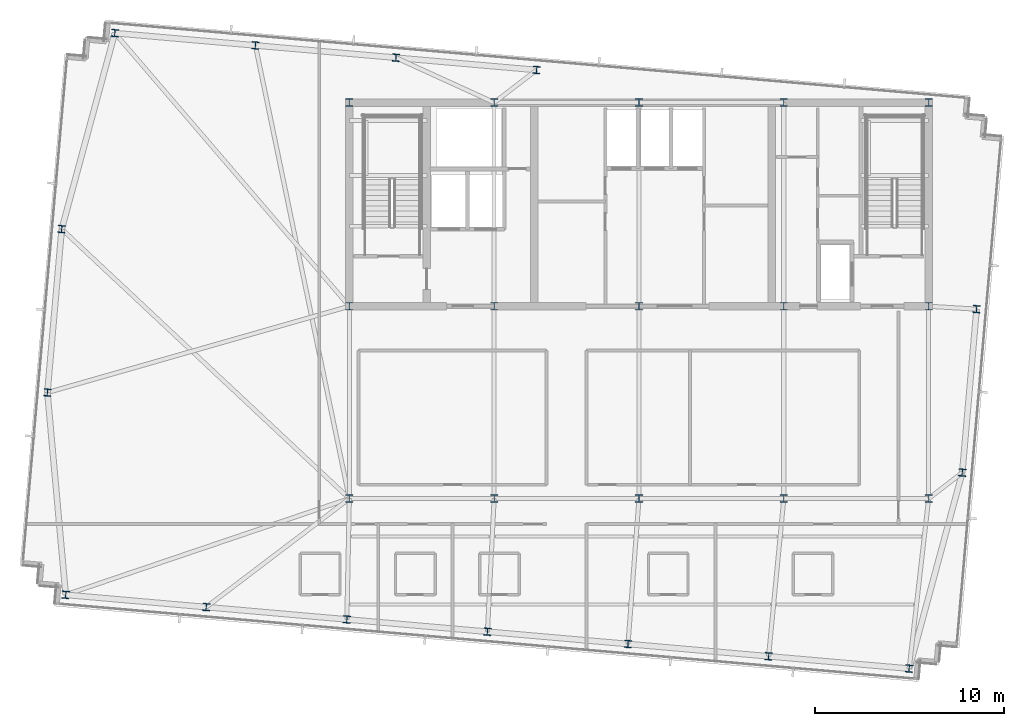
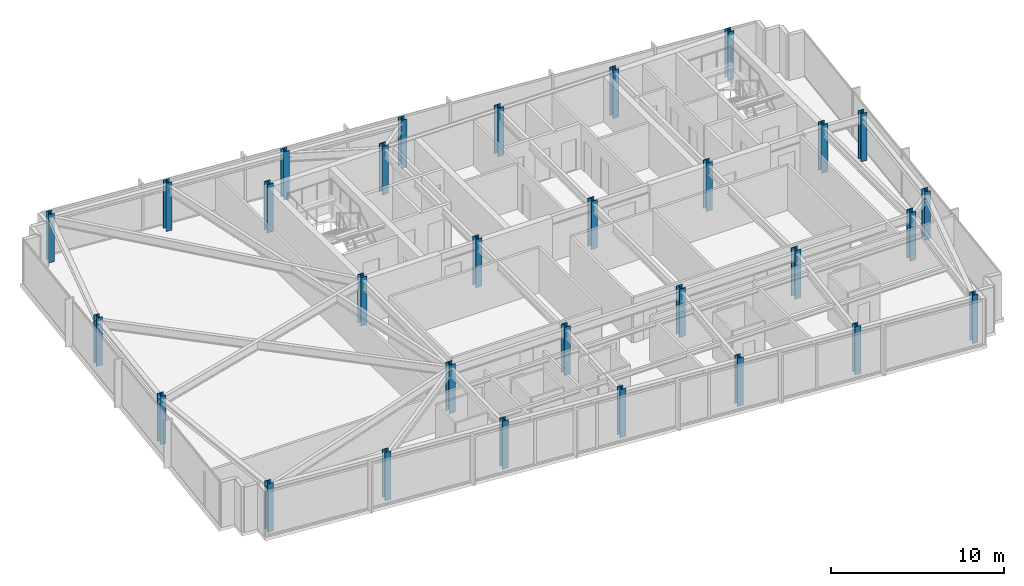
# One storey, part 1 of 33: 30 columns.
"""IFC4 building model written with IfcOpenShell, lengths in metres."""

from ifc_helpers import new_model, si_unit, direction, frame, origin, origin_2d, place, context, subcontext, project, spatial, i_section, extrude, material, material_profile, profile_set, type_object, element, save


model = new_model("IFC4")

# Units and contexts
model_context = context("Model", 3, precision=1e-05, world=origin(), true_north=direction((0.0, 1.0)))
body_context = subcontext(model_context, "Body", "Model", "MODEL_VIEW")
ifc_project = project(units=[si_unit("LENGTHUNIT", "METRE"), si_unit("AREAUNIT", "SQUARE_METRE"), si_unit("VOLUMEUNIT", "CUBIC_METRE"), si_unit("PLANEANGLEUNIT", "RADIAN"), si_unit("MASSUNIT", "GRAM", prefix="KILO")], contexts=[model_context])

# Site, building, storey
site_placement = place(None, origin())
site = spatial("IfcSite", under=ifc_project, at=site_placement, CompositionType="ELEMENT")
building_placement = place(site_placement, origin())
building = spatial("IfcBuilding", under=site, at=building_placement, Name="Yelkora Congress Tower", CompositionType="ELEMENT")
storey_placement = place(building_placement, frame((0.0, 0.0, 286.300048828125)))
storey = spatial("IfcBuildingStorey", under=building, at=storey_placement, Name="L80", CompositionType="ELEMENT", Elevation=286.300048828125)

# Columns
ifc_material_1 = material(Name="Steel S355J2", Category="steel")
ifc_material_profile_1 = material_profile(ifc_material_1, i_section(OverallWidth=0.3779296875, OverallDepth=0.386962890625, WebThickness=0.0205078125, FlangeThickness=0.033203125, FilletRadius=0.014892578125, at=origin_2d()), Name="HD 360x262")
ifc_profile_set_1 = profile_set([ifc_material_profile_1], Name="Steel S355J2")
column_type_1 = type_object("IfcColumnType", Name="COL-HD-262-EXT", PredefinedType="COLUMN", material=ifc_profile_set_1)
for number, where, z_axis, x_axis, name in (
    (1, (7.998046875, 20.097900390625, 0.0), (0.0, 0.0, 1.0), (0.996194698092, -0.087155742748, 0.0), "L80 Perimeter Column S01"),
    (2, (15.452880859375, 19.445556640625, 0.0), (0.0, 0.0, 1.0), (0.996194698092, -0.087155742748, 0.0), "L80 Perimeter Column S02"),
    (3, (22.90771484375, 18.793212890625, 0.0), (0.0, 0.0, 1.0), (0.996194698092, -0.087155742748, 0.0), "L80 Perimeter Column S03"),
    (4, (30.362548828125, 18.14111328125, 0.0), (0.0, 0.0, 1.0), (0.996194698092, -0.087155742748, 0.0), "L80 Perimeter Column S04"),
    (5, (37.8173828125, 17.489013671875, 0.0), (0.0, 0.0, 1.0), (0.996194698092, -0.087155742748, 0.0), "L80 Perimeter Column S05"),
    (6, (45.2724609375, 16.836669921875, 0.0), (0.0, 0.0, 1.0), (0.996194698092, -0.087155742748, 0.0), "L80 Perimeter Column S06"),
    (7, (52.727294921875, 16.1845703125, 0.0), (0.0, 0.0, 1.0), (0.996194698092, -0.087155742748, 0.0), "L80 Perimeter Column S07"),
    (8, (10.60400390625, 49.884033203125, 0.0), (0.0, 0.0, 1.0), (0.996194698092, -0.087155742748, 0.0), "L80 Perimeter Column N01"),
    (9, (18.058837890625, 49.231689453125, 0.0), (0.0, 0.0, 1.0), (0.996194698092, -0.087155742748, 0.0), "L80 Perimeter Column N02"),
    (10, (25.513916015625, 48.57958984375, 0.0), (0.0, 0.0, 1.0), (0.996194698092, -0.087155742748, 0.0), "L80 Perimeter Column N03"),
    (11, (32.968505859375, 47.927490234375, 0.0), (0.0, 0.0, 1.0), (0.996194698092, -0.087155742748, 0.0), "L80 Perimeter Column N04"),
    (12, (7.029052734375, 30.822998046875, 0.0), (0.0, 0.0, 1.0), (0.996194698092, -0.087155742748, 0.0), "L80 Perimeter Column W01"),
    (13, (55.543701171875, 26.57861328125, 0.0), (0.0, 0.0, 1.0), (0.996194698092, -0.087155742748, 0.0), "L80 Perimeter Column E01"),
    (14, (7.787353515625, 39.489990234375, 0.0), (0.0, 0.0, 1.0), (0.996194698092, -0.087155742748, 0.0), "L80 Perimeter Column W02"),
    (15, (56.302001953125, 35.24560546875, 0.0), (0.0, 0.0, 1.0), (0.996194698092, -0.087155742748, 0.0), "L80 Perimeter Column E02"),
):
    element("IfcColumn", number, at=place(storey_placement, frame(where, z_axis=z_axis, x_axis=x_axis)), inside=storey, type_object=column_type_1, Name=name, PredefinedType="COLUMN", context=body_context, shape_type="SweptSolid", body=[
        extrude(i_section(OverallWidth=0.3779296875, OverallDepth=0.386962890625, WebThickness=0.0205078125, FlangeThickness=0.033203125, FilletRadius=0.014892578125, at=origin_2d()), origin(), (0.0, 0.0, 1.0), 3.39990234375),
    ])
ifc_material_2 = material(Name="Steel S460M", Category="steel")
ifc_material_profile_2 = material_profile(ifc_material_2, i_section(OverallWidth=0.406005859375, OverallDepth=0.416015625, WebThickness=0.02978515625, FlangeThickness=0.048095703125, FilletRadius=0.014892578125, at=origin_2d()), Name="HD 400x382")
ifc_profile_set_2 = profile_set([ifc_material_profile_2], Name="Steel S460M")
column_type_2 = type_object("IfcColumnType", Name="COL-HD-382", PredefinedType="COLUMN", material=ifc_profile_set_2)
for number, where, z_axis, x_axis, name in (
    (16, (23.0400390625, 35.39990234375, 0.0), (0.0, 0.0, 1.0), (1.0, 0.0, 0.0), "L80 Mega Column MC-S1"),
    (17, (23.0400390625, 46.199951171875, 0.0), (0.0, 0.0, 1.0), (1.0, 0.0, 0.0), "L80 Mega Column MC-N1"),
    (18, (23.0400390625, 25.199951171875, 0.0), (0.0, 0.0, 1.0), (1.0, 0.0, 0.0), "L80 Mega Column MC-D1"),
    (19, (30.719970703125, 35.39990234375, 0.0), (0.0, 0.0, 1.0), (1.0, 0.0, 0.0), "L80 Mega Column MC-S2"),
    (20, (30.719970703125, 46.199951171875, 0.0), (0.0, 0.0, 1.0), (1.0, 0.0, 0.0), "L80 Mega Column MC-N2"),
    (21, (30.719970703125, 25.199951171875, 0.0), (0.0, 0.0, 1.0), (1.0, 0.0, 0.0), "L80 Mega Column MC-D2"),
    (22, (38.39990234375, 35.39990234375, 0.0), (0.0, 0.0, 1.0), (1.0, 0.0, 0.0), "L80 Mega Column MC-S3"),
    (23, (38.39990234375, 46.199951171875, 0.0), (0.0, 0.0, 1.0), (1.0, 0.0, 0.0), "L80 Mega Column MC-N3"),
    (24, (38.39990234375, 25.199951171875, 0.0), (0.0, 0.0, 1.0), (1.0, 0.0, 0.0), "L80 Mega Column MC-D3"),
    (25, (46.080078125, 35.39990234375, 0.0), (0.0, 0.0, 1.0), (1.0, 0.0, 0.0), "L80 Mega Column MC-S4"),
    (26, (46.080078125, 46.199951171875, 0.0), (0.0, 0.0, 1.0), (1.0, 0.0, 0.0), "L80 Mega Column MC-N4"),
    (27, (46.080078125, 25.199951171875, 0.0), (0.0, 0.0, 1.0), (1.0, 0.0, 0.0), "L80 Mega Column MC-D4"),
    (28, (53.760009765625, 35.39990234375, 0.0), (0.0, 0.0, 1.0), (1.0, 0.0, 0.0), "L80 Mega Column MC-S5"),
    (29, (53.760009765625, 46.199951171875, 0.0), (0.0, 0.0, 1.0), (1.0, 0.0, 0.0), "L80 Mega Column MC-N5"),
    (30, (53.760009765625, 25.199951171875, 0.0), (0.0, 0.0, 1.0), (1.0, 0.0, 0.0), "L80 Mega Column MC-D5"),
):
    element("IfcColumn", number, at=place(storey_placement, frame(where, z_axis=z_axis, x_axis=x_axis)), inside=storey, type_object=column_type_2, Name=name, PredefinedType="COLUMN", context=body_context, shape_type="SweptSolid", body=[
        extrude(i_section(OverallWidth=0.406005859375, OverallDepth=0.416015625, WebThickness=0.02978515625, FlangeThickness=0.048095703125, FilletRadius=0.014892578125, at=origin_2d()), origin(), (0.0, 0.0, 1.0), 3.39990234375),
    ])

save(model, "model.ifc")
